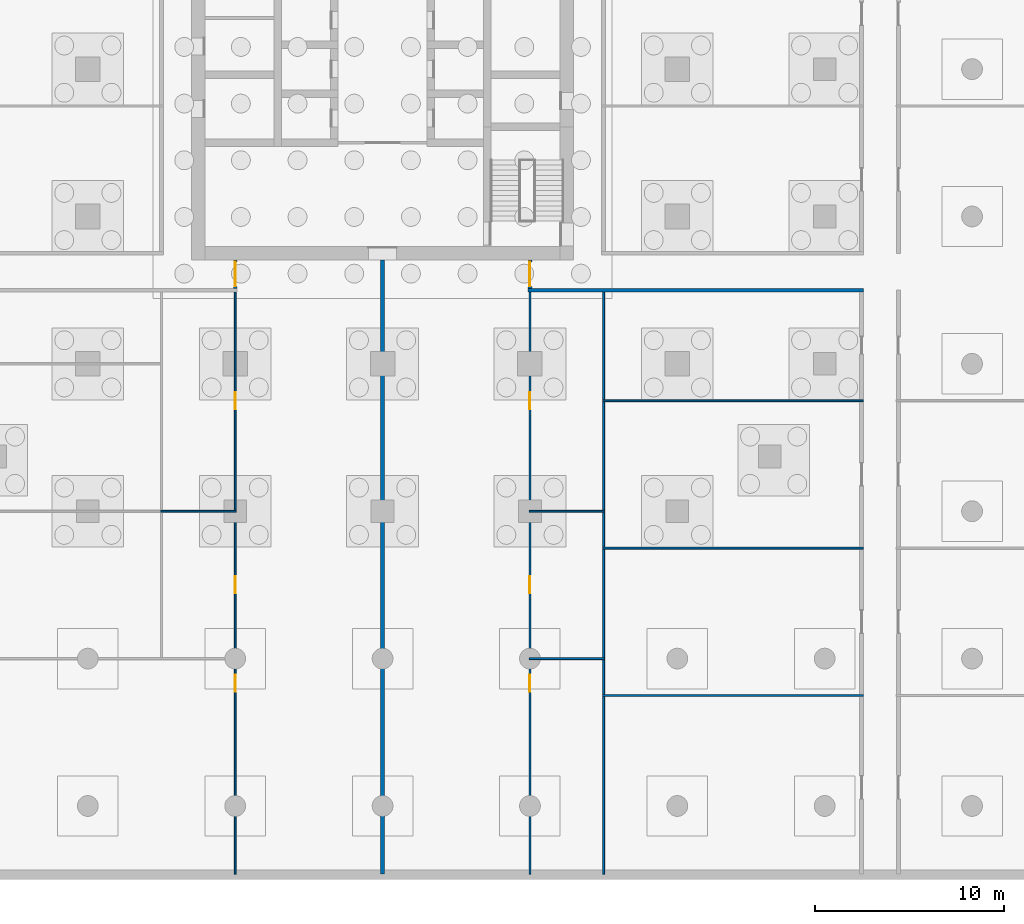
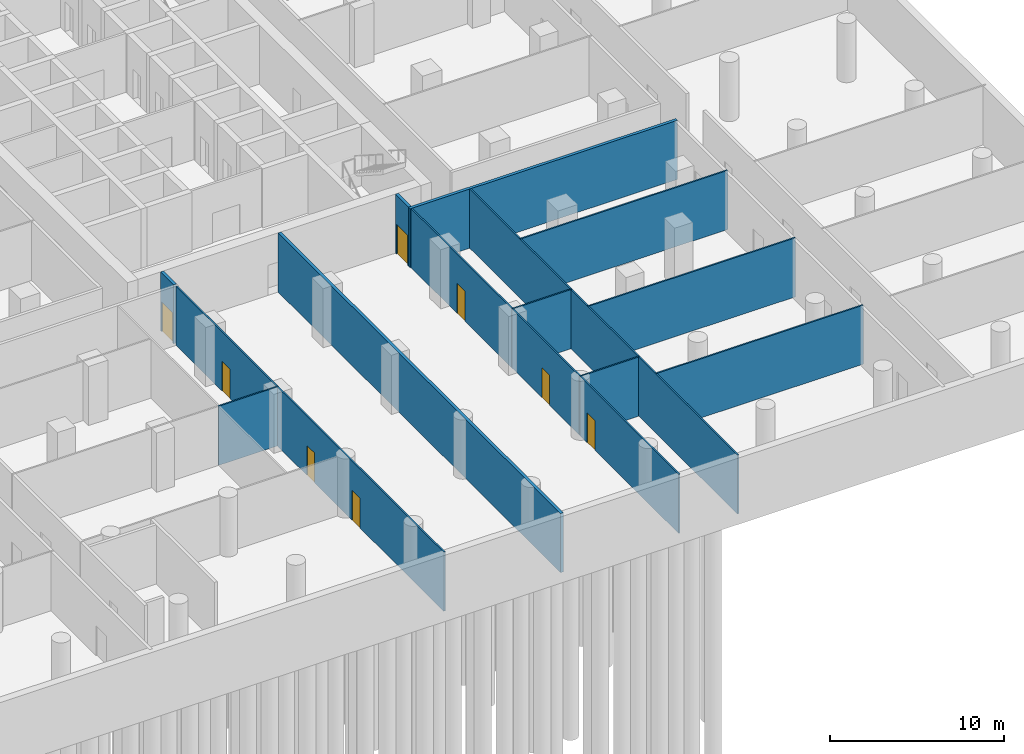
# One storey, part 5 of 16: 14 walls, 8 doors, 8 openings.
"""IFC4 building model written with IfcOpenShell, lengths in metres."""

from ifc_helpers import new_model, si_unit, direction, frame, frame_2d, origin, place, context, subcontext, project, spatial, rectangle, extrude, material, layer, layer_set, type_object, element, fill, save


model = new_model("IFC4")

# Units and contexts
model_context = context("Model", 3, precision=1e-05, world=origin(), true_north=direction((0.0, 1.0)))
body_context = subcontext(model_context, "Body", "Model", "MODEL_VIEW")
ifc_project = project(units=[si_unit("LENGTHUNIT", "METRE"), si_unit("AREAUNIT", "SQUARE_METRE"), si_unit("VOLUMEUNIT", "CUBIC_METRE"), si_unit("PLANEANGLEUNIT", "RADIAN"), si_unit("MASSUNIT", "GRAM", prefix="KILO")], contexts=[model_context])

# Site, building, storey
site_placement = place(None, origin())
site = spatial("IfcSite", under=ifc_project, at=site_placement, CompositionType="ELEMENT")
building_placement = place(site_placement, origin())
building = spatial("IfcBuilding", under=site, at=building_placement, Name="Ludao Terraces", CompositionType="ELEMENT")
storey_placement = place(building_placement, frame((0.0, 0.0, -9.0)))
storey = spatial("IfcBuildingStorey", under=building, at=storey_placement, Name="B2", CompositionType="ELEMENT", Elevation=-9.0)

# Wall
ifc_material_1 = material(Name="Autoclaved aerated concrete block B06 A3.5", Category="concrete")
ifc_layer_1 = layer(ifc_material_1, 0.199951171875)
ifc_layer_set_1 = layer_set([ifc_layer_1], Name="INT Entrance wall 200")
wall_type_1 = type_object("IfcWallType", Name="INT Entrance wall 200", PredefinedType="PARTITIONING", material=ifc_layer_set_1)
wall_1_placement = place(storey_placement, frame((92.7001953125, 53.300048828125, 0.0), z_axis=(0.0, 0.0, 1.0), x_axis=(1.0, 0.0, 0.0)))
element("IfcWall", 1, at=wall_1_placement, inside=storey, type_object=wall_type_1, Name="PW-B2-PW016", PredefinedType="PARTITIONING", context=body_context, shape_type="SweptSolid", body=[
    extrude(rectangle(XDim=17.75, YDim=0.199951171875, at=frame_2d((8.875, 0.0))), origin(), (0.0, 0.0, 1.0), 4.14990234375),
])

# Wall, opening, door
wall_2_placement = place(storey_placement, frame((77.199951171875, 53.400146484375, 0.0), z_axis=(0.0, 0.0, 1.0), x_axis=(0.0, 1.0, 0.0)))
wall_2 = element("IfcWall", 2, at=wall_2_placement, inside=storey, type_object=wall_type_1, Name="PW-B2-PW046", PredefinedType="PARTITIONING", context=body_context, shape_type="SweptSolid", body=[
    extrude(rectangle(XDim=1.5, YDim=0.199951171875, at=frame_2d((0.75, 0.0))), origin(), (0.0, 0.0, 1.0), 4.14990234375),
])
opening_1_placement = place(wall_2_placement, frame((0.10009765625, 0.0, 0.0)))
opening_1 = element("IfcOpeningElement", 3, at=opening_1_placement, cuts=wall_2, Name="Opening B2-023", PredefinedType="OPENING", context=body_context, shape_type="SweptSolid", body=[
    extrude(rectangle(XDim=1.300048828125, YDim=2.10009765625, at=frame_2d((0.64990234375, 1.050048828125))), frame((0.0, 0.10986328125, 0.0), z_axis=(0.0, -1.0, 0.0), x_axis=(1.0, 0.0, 0.0)), (0.0, 0.0, 1.0), 0.219970703125),
])
ifc_material_2 = material(Name="Steel Q235", Category="steel")
door_type_1 = type_object("IfcDoorType", Name="INT Lobby door 1300", OperationType="DOUBLE_DOOR_SINGLE_SWING", PredefinedType="DOOR", material=ifc_material_2)
door_1_placement = place(opening_1_placement, origin())
door_1 = element("IfcDoor", 4, at=door_1_placement, inside=storey, type_object=door_type_1, Name="DOOR 023", OperationType="DOUBLE_DOOR_SINGLE_SWING", OverallHeight=2.10009765625, OverallWidth=1.300048828125, PredefinedType="DOOR", context=body_context, shape_type="SweptSolid", body=[
    extrude(rectangle(XDim=1.300048828125, YDim=2.10009765625, at=frame_2d((0.64990234375, 1.050048828125))), frame((0.0, 0.02490234375, 0.0), z_axis=(0.0, -1.0, 0.0), x_axis=(1.0, 0.0, 0.0)), (0.0, 0.0, 1.0), 0.050048828125),
])
fill(opening_1, door_1)

# Wall
wall_3_placement = place(storey_placement, frame((85.0, 22.400146484375, 0.0), z_axis=(0.0, 0.0, 1.0), x_axis=(0.0, 1.0, 0.0)))
element("IfcWall", 5, at=wall_3_placement, inside=storey, type_object=wall_type_1, Name="PW-B2-PW047", PredefinedType="PARTITIONING", context=body_context, shape_type="SweptSolid", body=[
    extrude(rectangle(XDim=32.5, YDim=0.199951171875, at=frame_2d((16.25, 0.0))), origin(), (0.0, 0.0, 1.0), 4.14990234375),
])

# Wall, opening, door
wall_4_placement = place(storey_placement, frame((92.800048828125, 53.400146484375, 0.0), z_axis=(0.0, 0.0, 1.0), x_axis=(0.0, 1.0, 0.0)))
wall_4 = element("IfcWall", 6, at=wall_4_placement, inside=storey, type_object=wall_type_1, Name="PW-B2-PW050", PredefinedType="PARTITIONING", context=body_context, shape_type="SweptSolid", body=[
    extrude(rectangle(XDim=1.5, YDim=0.199951171875, at=frame_2d((0.75, 0.0))), origin(), (0.0, 0.0, 1.0), 4.14990234375),
])
opening_2_placement = place(wall_4_placement, frame((0.10009765625, 0.0, 0.0)))
opening_2 = element("IfcOpeningElement", 7, at=opening_2_placement, cuts=wall_4, Name="Opening B2-024", PredefinedType="OPENING", context=body_context, shape_type="SweptSolid", body=[
    extrude(rectangle(XDim=1.300048828125, YDim=2.10009765625, at=frame_2d((0.64990234375, 1.050048828125))), frame((0.0, 0.10986328125, 0.0), z_axis=(0.0, -1.0, 0.0), x_axis=(1.0, 0.0, 0.0)), (0.0, 0.0, 1.0), 0.219970703125),
])
door_2_placement = place(opening_2_placement, origin())
door_2 = element("IfcDoor", 8, at=door_2_placement, inside=storey, type_object=door_type_1, Name="DOOR 024", OperationType="DOUBLE_DOOR_SINGLE_SWING", OverallHeight=2.10009765625, OverallWidth=1.300048828125, PredefinedType="DOOR", context=body_context, shape_type="SweptSolid", body=[
    extrude(rectangle(XDim=1.300048828125, YDim=2.10009765625, at=frame_2d((0.64990234375, 1.050048828125))), frame((0.0, 0.02490234375, 0.0), z_axis=(0.0, -1.0, 0.0), x_axis=(1.0, 0.0, 0.0)), (0.0, 0.0, 1.0), 0.050048828125),
])
fill(opening_2, door_2)

# Walls
ifc_material_3 = material(Name="Gypsum plasterboard", Category="gypsum")
ifc_layer_2 = layer(ifc_material_3, 0.012451171875, Category="gypsum")
ifc_material_4 = material(Name="Mineral wool")
ifc_layer_3 = layer(ifc_material_4, 0.06005859375, Name="insulation")
ifc_layer_4 = layer(ifc_material_2, 0.014892578125, Name="stud")
ifc_layer_5 = layer(ifc_material_3, 0.012451171875, Category="gypsum")
ifc_layer_set_2 = layer_set([ifc_layer_2, ifc_layer_3, ifc_layer_4, ifc_layer_5], Name="INT Partition 100")
wall_type_2 = type_object("IfcWallType", Name="INT Partition 100", PredefinedType="PARTITIONING", material=ifc_layer_set_2)
wall_5_placement = place(storey_placement, frame((96.650146484375, 31.85009765625, 0.0), z_axis=(0.0, 0.0, 1.0), x_axis=(1.0, 0.0, 0.0)))
element("IfcWall", 9, at=wall_5_placement, inside=storey, type_object=wall_type_2, Name="PW-B2-PW000", PredefinedType="PARTITIONING", context=body_context, shape_type="SweptSolid", body=[
    extrude(rectangle(XDim=13.800048828125, YDim=0.10009765625, at=frame_2d((6.89990234375, 0.0))), origin(), (0.0, 0.0, 1.0), 4.14990234375),
])
wall_6_placement = place(storey_placement, frame((92.75, 33.800048828125, 0.0), z_axis=(0.0, 0.0, 1.0), x_axis=(1.0, 0.0, 0.0)))
element("IfcWall", 10, at=wall_6_placement, inside=storey, type_object=wall_type_2, Name="PW-B2-PW004", PredefinedType="PARTITIONING", context=body_context, shape_type="SweptSolid", body=[
    extrude(rectangle(XDim=4.0, YDim=0.10009765625, at=frame_2d((2.0, 0.0))), origin(), (0.0, 0.0, 1.0), 4.14990234375),
])
wall_7_placement = place(storey_placement, frame((96.650146484375, 39.64990234375, 0.0), z_axis=(0.0, 0.0, 1.0), x_axis=(1.0, 0.0, 0.0)))
element("IfcWall", 11, at=wall_7_placement, inside=storey, type_object=wall_type_2, Name="PW-B2-PW005", PredefinedType="PARTITIONING", context=body_context, shape_type="SweptSolid", body=[
    extrude(rectangle(XDim=13.800048828125, YDim=0.10009765625, at=frame_2d((6.89990234375, 0.0))), origin(), (0.0, 0.0, 1.0), 4.14990234375),
])
for number, where, z_axis, x_axis, name in (
    (12, (73.25, 41.60009765625, 0.0), (0.0, 0.0, 1.0), (1.0, 0.0, 0.0), "PW-B2-PW009"),
    (13, (92.75, 41.60009765625, 0.0), (0.0, 0.0, 1.0), (1.0, 0.0, 0.0), "PW-B2-PW010"),
):
    element("IfcWall", number, at=place(storey_placement, frame(where, z_axis=z_axis, x_axis=x_axis)), inside=storey, type_object=wall_type_2, Name=name, PredefinedType="PARTITIONING", context=body_context, shape_type="SweptSolid", body=[
        extrude(rectangle(XDim=4.0, YDim=0.10009765625, at=frame_2d((2.0, 0.0))), origin(), (0.0, 0.0, 1.0), 4.14990234375),
    ])
wall_8_placement = place(storey_placement, frame((96.650146484375, 47.449951171875, 0.0), z_axis=(0.0, 0.0, 1.0), x_axis=(1.0, 0.0, 0.0)))
element("IfcWall", 14, at=wall_8_placement, inside=storey, type_object=wall_type_2, Name="PW-B2-PW011", PredefinedType="PARTITIONING", context=body_context, shape_type="SweptSolid", body=[
    extrude(rectangle(XDim=13.800048828125, YDim=0.10009765625, at=frame_2d((6.89990234375, 0.0))), origin(), (0.0, 0.0, 1.0), 4.14990234375),
])

# Wall, openings, doors
wall_9_placement = place(storey_placement, frame((77.199951171875, 22.400146484375, 0.0), z_axis=(0.0, 0.0, 1.0), x_axis=(0.0, 1.0, 0.0)))
wall_9 = element("IfcWall", 15, at=wall_9_placement, inside=storey, type_object=wall_type_2, Name="PW-B2-PW044", PredefinedType="PARTITIONING", context=body_context, shape_type="SweptSolid", body=[
    extrude(rectangle(XDim=19.14990234375, YDim=0.10009765625, at=frame_2d((9.574951171875, 0.0))), origin(), (0.0, 0.0, 1.0), 4.14990234375),
])
opening_3_placement = place(wall_9_placement, frame((9.64990234375, 0.0, 0.0)))
opening_3 = element("IfcOpeningElement", 16, at=opening_3_placement, cuts=wall_9, Name="Opening B2-005", PredefinedType="OPENING", context=body_context, shape_type="SweptSolid", body=[
    extrude(rectangle(XDim=0.89990234375, YDim=2.10009765625, at=frame_2d((0.449951171875, 1.050048828125))), frame((0.0, 0.06005859375, 0.0), z_axis=(0.0, -1.0, 0.0), x_axis=(1.0, 0.0, 0.0)), (0.0, 0.0, 1.0), 0.1201171875),
])
opening_4_placement = place(wall_9_placement, frame((14.85009765625, 0.0, 0.0)))
opening_4 = element("IfcOpeningElement", 17, at=opening_4_placement, cuts=wall_9, Name="Opening B2-011", PredefinedType="OPENING", context=body_context, shape_type="SweptSolid", body=[
    extrude(rectangle(XDim=0.89990234375, YDim=2.10009765625, at=frame_2d((0.449951171875, 1.050048828125))), frame((0.0, 0.06005859375, 0.0), z_axis=(0.0, -1.0, 0.0), x_axis=(1.0, 0.0, 0.0)), (0.0, 0.0, 1.0), 0.1201171875),
])
ifc_material_5 = material(Name="Timber door leaf", Category="wood")
door_type_2 = type_object("IfcDoorType", Name="INT Room door 900", OperationType="SINGLE_SWING_LEFT", PredefinedType="DOOR", material=ifc_material_5)
door_3_placement = place(opening_3_placement, origin())
door_3 = element("IfcDoor", 18, at=door_3_placement, inside=storey, type_object=door_type_2, Name="DOOR 005", OperationType="SINGLE_SWING_RIGHT", OverallHeight=2.10009765625, OverallWidth=0.89990234375, PredefinedType="DOOR", context=body_context, shape_type="SweptSolid", body=[
    extrude(rectangle(XDim=0.89990234375, YDim=2.10009765625, at=frame_2d((0.449951171875, 1.050048828125))), frame((0.0, 0.02490234375, 0.0), z_axis=(0.0, -1.0, 0.0), x_axis=(1.0, 0.0, 0.0)), (0.0, 0.0, 1.0), 0.050048828125),
])
fill(opening_3, door_3)
door_4_placement = place(opening_4_placement, origin())
door_4 = element("IfcDoor", 19, at=door_4_placement, inside=storey, type_object=door_type_2, Name="DOOR 011", OperationType="SINGLE_SWING_LEFT", OverallHeight=2.10009765625, OverallWidth=0.89990234375, PredefinedType="DOOR", context=body_context, shape_type="SweptSolid", body=[
    extrude(rectangle(XDim=0.89990234375, YDim=2.10009765625, at=frame_2d((0.449951171875, 1.050048828125))), frame((0.0, 0.02490234375, 0.0), z_axis=(0.0, -1.0, 0.0), x_axis=(1.0, 0.0, 0.0)), (0.0, 0.0, 1.0), 0.050048828125),
])
fill(opening_4, door_4)

# Wall, opening, door
wall_10_placement = place(storey_placement, frame((77.199951171875, 41.650146484375, 0.0), z_axis=(0.0, 0.0, 1.0), x_axis=(0.0, 1.0, 0.0)))
wall_10 = element("IfcWall", 20, at=wall_10_placement, inside=storey, type_object=wall_type_2, Name="PW-B2-PW045", PredefinedType="PARTITIONING", context=body_context, shape_type="SweptSolid", body=[
    extrude(rectangle(XDim=11.550048828125, YDim=0.10009765625, at=frame_2d((5.77490234375, 0.0))), origin(), (0.0, 0.0, 1.0), 4.14990234375),
])
opening_5_placement = place(wall_10_placement, frame((5.35009765625, 0.0, 0.0)))
opening_5 = element("IfcOpeningElement", 21, at=opening_5_placement, cuts=wall_10, Name="Opening B2-017", PredefinedType="OPENING", context=body_context, shape_type="SweptSolid", body=[
    extrude(rectangle(XDim=0.89990234375, YDim=2.10009765625, at=frame_2d((0.449951171875, 1.050048828125))), frame((0.0, 0.06005859375, 0.0), z_axis=(0.0, -1.0, 0.0), x_axis=(1.0, 0.0, 0.0)), (0.0, 0.0, 1.0), 0.1201171875),
])
door_5_placement = place(opening_5_placement, origin())
door_5 = element("IfcDoor", 22, at=door_5_placement, inside=storey, type_object=door_type_2, Name="DOOR 017", OperationType="SINGLE_SWING_RIGHT", OverallHeight=2.10009765625, OverallWidth=0.89990234375, PredefinedType="DOOR", context=body_context, shape_type="SweptSolid", body=[
    extrude(rectangle(XDim=0.89990234375, YDim=2.10009765625, at=frame_2d((0.449951171875, 1.050048828125))), frame((0.0, 0.02490234375, 0.0), z_axis=(0.0, -1.0, 0.0), x_axis=(1.0, 0.0, 0.0)), (0.0, 0.0, 1.0), 0.050048828125),
])
fill(opening_5, door_5)

# Wall, openings, doors
wall_11_placement = place(storey_placement, frame((92.800048828125, 22.400146484375, 0.0), z_axis=(0.0, 0.0, 1.0), x_axis=(0.0, 1.0, 0.0)))
wall_11 = element("IfcWall", 23, at=wall_11_placement, inside=storey, type_object=wall_type_2, Name="PW-B2-PW049", PredefinedType="PARTITIONING", context=body_context, shape_type="SweptSolid", body=[
    extrude(rectangle(XDim=30.800048828125, YDim=0.10009765625, at=frame_2d((15.39990234375, 0.0))), origin(), (0.0, 0.0, 1.0), 4.14990234375),
])
opening_6_placement = place(wall_11_placement, frame((9.64990234375, 0.0, 0.0)))
opening_6 = element("IfcOpeningElement", 24, at=opening_6_placement, cuts=wall_11, Name="Opening B2-006", PredefinedType="OPENING", context=body_context, shape_type="SweptSolid", body=[
    extrude(rectangle(XDim=0.89990234375, YDim=2.10009765625, at=frame_2d((0.449951171875, 1.050048828125))), frame((0.0, 0.06005859375, 0.0), z_axis=(0.0, -1.0, 0.0), x_axis=(1.0, 0.0, 0.0)), (0.0, 0.0, 1.0), 0.1201171875),
])
opening_7_placement = place(wall_11_placement, frame((14.85009765625, 0.0, 0.0)))
opening_7 = element("IfcOpeningElement", 25, at=opening_7_placement, cuts=wall_11, Name="Opening B2-012", PredefinedType="OPENING", context=body_context, shape_type="SweptSolid", body=[
    extrude(rectangle(XDim=0.89990234375, YDim=2.10009765625, at=frame_2d((0.449951171875, 1.050048828125))), frame((0.0, 0.06005859375, 0.0), z_axis=(0.0, -1.0, 0.0), x_axis=(1.0, 0.0, 0.0)), (0.0, 0.0, 1.0), 0.1201171875),
])
opening_8_placement = place(wall_11_placement, frame((24.60009765625, 0.0, 0.0)))
opening_8 = element("IfcOpeningElement", 26, at=opening_8_placement, cuts=wall_11, Name="Opening B2-018", PredefinedType="OPENING", context=body_context, shape_type="SweptSolid", body=[
    extrude(rectangle(XDim=0.89990234375, YDim=2.10009765625, at=frame_2d((0.449951171875, 1.050048828125))), frame((0.0, 0.06005859375, 0.0), z_axis=(0.0, -1.0, 0.0), x_axis=(1.0, 0.0, 0.0)), (0.0, 0.0, 1.0), 0.1201171875),
])
door_6_placement = place(opening_6_placement, origin())
door_6 = element("IfcDoor", 27, at=door_6_placement, inside=storey, type_object=door_type_2, Name="DOOR 006", OperationType="SINGLE_SWING_LEFT", OverallHeight=2.10009765625, OverallWidth=0.89990234375, PredefinedType="DOOR", context=body_context, shape_type="SweptSolid", body=[
    extrude(rectangle(XDim=0.89990234375, YDim=2.10009765625, at=frame_2d((0.449951171875, 1.050048828125))), frame((0.0, 0.02490234375, 0.0), z_axis=(0.0, -1.0, 0.0), x_axis=(1.0, 0.0, 0.0)), (0.0, 0.0, 1.0), 0.050048828125),
])
fill(opening_6, door_6)
door_7_placement = place(opening_7_placement, origin())
door_7 = element("IfcDoor", 28, at=door_7_placement, inside=storey, type_object=door_type_2, Name="DOOR 012", OperationType="SINGLE_SWING_LEFT", OverallHeight=2.10009765625, OverallWidth=0.89990234375, PredefinedType="DOOR", context=body_context, shape_type="SweptSolid", body=[
    extrude(rectangle(XDim=0.89990234375, YDim=2.10009765625, at=frame_2d((0.449951171875, 1.050048828125))), frame((0.0, 0.02490234375, 0.0), z_axis=(0.0, -1.0, 0.0), x_axis=(1.0, 0.0, 0.0)), (0.0, 0.0, 1.0), 0.050048828125),
])
fill(opening_7, door_7)
door_8_placement = place(opening_8_placement, origin())
door_8 = element("IfcDoor", 29, at=door_8_placement, inside=storey, type_object=door_type_2, Name="DOOR 018", OperationType="SINGLE_SWING_RIGHT", OverallHeight=2.10009765625, OverallWidth=0.89990234375, PredefinedType="DOOR", context=body_context, shape_type="SweptSolid", body=[
    extrude(rectangle(XDim=0.89990234375, YDim=2.10009765625, at=frame_2d((0.449951171875, 1.050048828125))), frame((0.0, 0.02490234375, 0.0), z_axis=(0.0, -1.0, 0.0), x_axis=(1.0, 0.0, 0.0)), (0.0, 0.0, 1.0), 0.050048828125),
])
fill(opening_8, door_8)

# Wall
wall_12_placement = place(storey_placement, frame((96.699951171875, 22.400146484375, 0.0), z_axis=(0.0, 0.0, 1.0), x_axis=(0.0, 1.0, 0.0)))
element("IfcWall", 30, at=wall_12_placement, inside=storey, type_object=wall_type_2, Name="PW-B2-PW052", PredefinedType="PARTITIONING", context=body_context, shape_type="SweptSolid", body=[
    extrude(rectangle(XDim=30.800048828125, YDim=0.10009765625, at=frame_2d((15.39990234375, 0.0))), origin(), (0.0, 0.0, 1.0), 4.14990234375),
])

save(model, "model.ifc")
